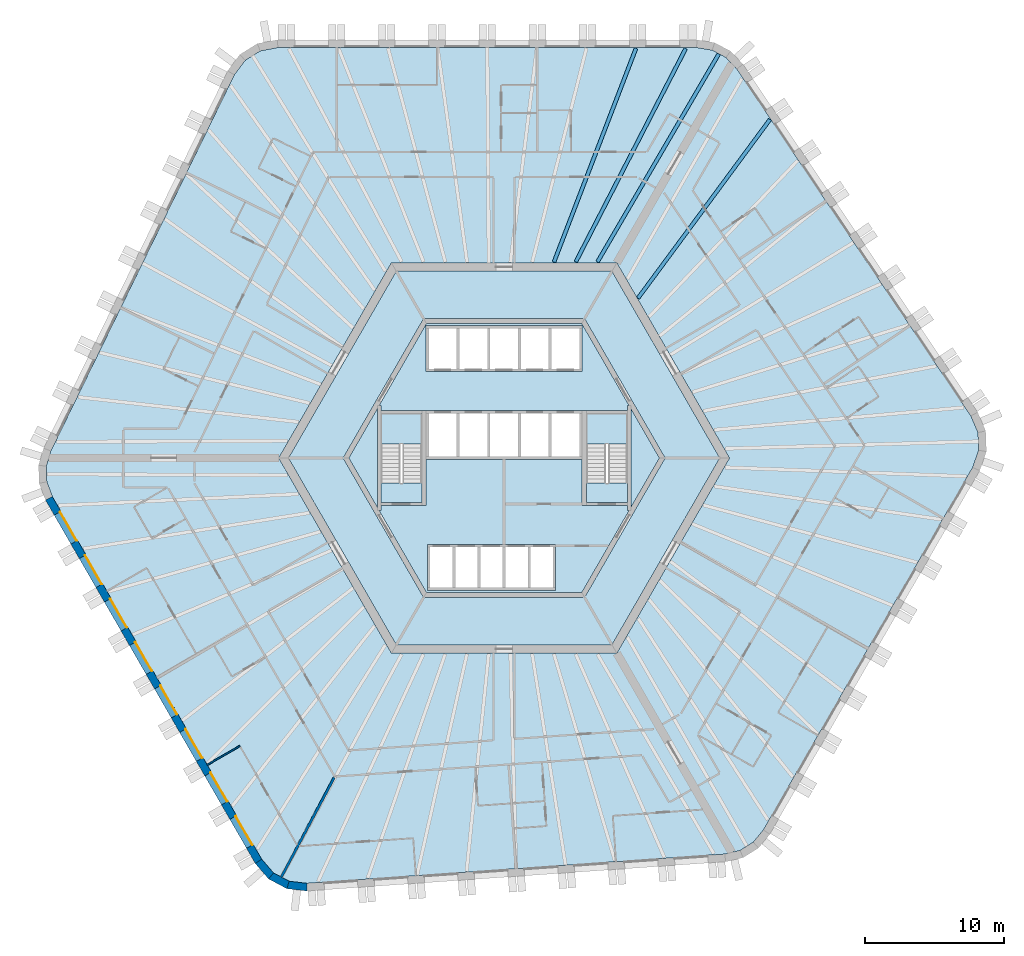
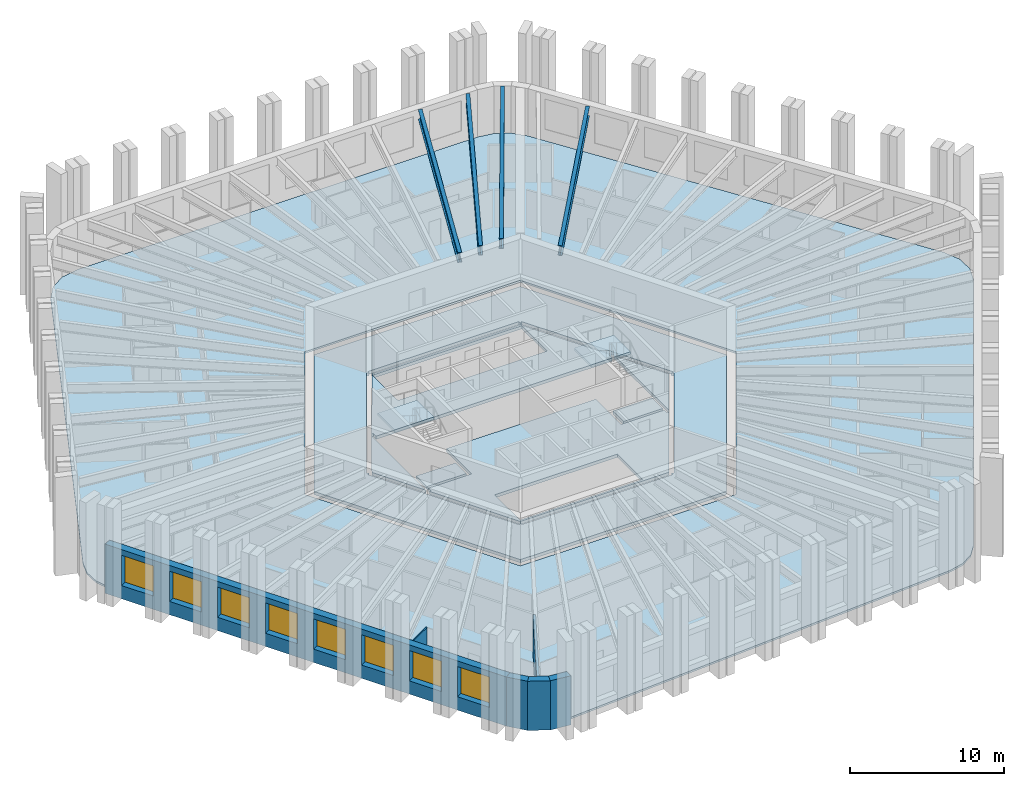
# One storey, part 2 of 12: 10 slabs, 8 windows, 6 walls, 4 beams, 8 openings, 2 elements without a shape of their own.
"""IFC4 building model written with IfcOpenShell, lengths in metres."""

from ifc_helpers import new_model, si_unit, direction, frame, frame_2d, origin, origin_2d, place, context, subcontext, project, spatial, polyline, rectangle, i_section, outline, extrude, material, layer, layer_set, material_profile, profile_set, type_object, element, fill, aggregate, save


model = new_model("IFC4")

# Units and contexts
model_context = context("Model", 3, precision=1e-05, world=origin(), true_north=direction((0.0, 1.0)))
body_context = subcontext(model_context, "Body", "Model", "MODEL_VIEW")
ifc_project = project(units=[si_unit("LENGTHUNIT", "METRE"), si_unit("AREAUNIT", "SQUARE_METRE"), si_unit("VOLUMEUNIT", "CUBIC_METRE"), si_unit("PLANEANGLEUNIT", "RADIAN"), si_unit("MASSUNIT", "GRAM", prefix="KILO")], contexts=[model_context])

# Site, building, storey
site_placement = place(None, origin())
site = spatial("IfcSite", under=ifc_project, at=site_placement, CompositionType="ELEMENT")
building_placement = place(site_placement, origin())
building = spatial("IfcBuilding", under=site, at=building_placement, Name="Tarnside Tower", CompositionType="ELEMENT")
storey_placement = place(building_placement, frame((0.0, 0.0, 60.89990234375)))
storey = spatial("IfcBuildingStorey", under=building, at=storey_placement, Name="L12", CompositionType="ELEMENT", Elevation=60.89990234375)

# Beams
ifc_material_1 = material(Name="Steel S355", Category="steel")
ifc_material_profile = material_profile(ifc_material_1, i_section(OverallWidth=0.2666015625, OverallDepth=0.76220703125, WebThickness=0.014404296875, FlangeThickness=0.021484375, FilletRadius=0.0166015625, at=origin_2d()), Name="UB 762x267x173")
ifc_profile_set = profile_set([ifc_material_profile], Name="Steel S355")
beam_type = type_object("IfcBeamType", Name="Floor beam UB 762x267x173", PredefinedType="BEAM", material=ifc_profile_set)
beam_1_placement = place(storey_placement, frame((13.0283203125, 29.37890625, 3.368896484375), z_axis=(-0.457973226459, -0.888965985765, 0.0), x_axis=(0.888965985765, -0.457973226459, 0.0)))
element("IfcBeam", 1, at=beam_1_placement, inside=storey, type_object=beam_type, Name="Floor beam F1.01", PredefinedType="BEAM", context=body_context, shape_type="SweptSolid", body=[
    extrude(i_section(OverallWidth=0.2666015625, OverallDepth=0.76220703125, WebThickness=0.014404296875, FlangeThickness=0.021484375, FilletRadius=0.0166015625, at=origin_2d()), origin(), (0.0, 0.0, 1.0), 17.219970703125),
])
beam_2_placement = place(storey_placement, frame((9.4619140625, 29.39404296875, 3.368896484375), z_axis=(-0.358299847269, -0.933606565662, 0.0), x_axis=(0.933606565662, -0.358299847269, 0.0)))
element("IfcBeam", 2, at=beam_2_placement, inside=storey, type_object=beam_type, Name="Floor beam F1.02", PredefinedType="BEAM", context=body_context, shape_type="SweptSolid", body=[
    extrude(i_section(OverallWidth=0.2666015625, OverallDepth=0.76220703125, WebThickness=0.014404296875, FlangeThickness=0.021484375, FilletRadius=0.0166015625, at=origin_2d()), origin(), (0.0, 0.0, 1.0), 16.428955078125),
])
beam_3_placement = place(storey_placement, frame((19.072021484375, 24.28857421875, 3.368896484375), z_axis=(-0.593986893499, -0.804474717037, 0.0), x_axis=(0.804474717037, -0.593986893499, 0.0)))
element("IfcBeam", 3, at=beam_3_placement, inside=storey, type_object=beam_type, Name="Floor beam F6.08", PredefinedType="BEAM", context=body_context, shape_type="SweptSolid", body=[
    extrude(i_section(OverallWidth=0.2666015625, OverallDepth=0.76220703125, WebThickness=0.014404296875, FlangeThickness=0.021484375, FilletRadius=0.0166015625, at=origin_2d()), origin(), (0.0, 0.0, 1.0), 15.934326171875),
])
beam_4_placement = place(storey_placement, frame((15.4013671875, 28.990478515625, 3.368896484375), z_axis=(-0.503858723096, -0.863786077198, 0.0), x_axis=(0.863786077198, -0.503858723096, 0.0)))
element("IfcBeam", 4, at=beam_4_placement, inside=storey, type_object=beam_type, Name="Floor beam C6", PredefinedType="BEAM", context=body_context, shape_type="SweptSolid", body=[
    extrude(i_section(OverallWidth=0.2666015625, OverallDepth=0.76220703125, WebThickness=0.014404296875, FlangeThickness=0.021484375, FilletRadius=0.0166015625, at=origin_2d()), origin(), (0.0, 0.0, 1.0), 17.2744140625),
])

# Slabs
ifc_material_2 = material(Name="Concrete C35/45", Category="concrete")
ifc_layer_1 = layer(ifc_material_2, 0.14990234375)
ifc_layer_set_1 = layer_set([ifc_layer_1], Name="Composite floor slab 150")
slab_type_1 = type_object("IfcSlabType", Name="Composite floor slab 150", PredefinedType="FLOOR", material=ifc_layer_set_1)
slab_1_placement = place(storey_placement, frame((0.0, 0.0, -0.14990234375)))
element("IfcSlab", 5, at=slab_1_placement, inside=storey, type_object=slab_type_1, Name="Floor slab L12", PredefinedType="FLOOR", context=body_context, shape_type="SweptSolid", body=[
    extrude(outline(polyline([(14.927490234375, 29.264892578125), (15.91455078125, 28.740234375), (16.697265625, 27.91064453125), (33.48583984375, 3.0205078125), (34.001220703125, 1.825439453125), (34.0458984375, 0.55078125), (33.614990234375, -0.67724609375), (18.603515625, -26.677978515625), (17.880615234375, -27.56005859375), (16.9326171875, -28.15234375), (15.82275390625, -28.41552734375), (-14.127197265625, -30.509765625), (-15.419921875, -30.358642578125), (-16.5458984375, -29.760009765625), (-17.39404296875, -28.772705078125), (-32.405517578125, -2.772216796875), (-32.80810546875, -1.704833984375), (-32.846923828125, -0.587890625), (-32.52001953125, 0.5048828125), (-19.358642578125, 27.4892578125), (-18.58154296875, 28.533203125), (-17.5, 29.208984375), (-16.220947265625, 29.449951171875), (13.802001953125, 29.449951171875), (14.927490234375, 29.264892578125)]), holes=[polyline([(-16.165771484375, 0.0), (-8.0830078125, -14.0), (8.0830078125, -14.0), (16.165771484375, 0.0), (8.0830078125, 14.0), (-8.0830078125, 14.0), (-16.165771484375, 0.0)])]), origin(), (0.0, 0.0, 1.0), 0.14990234375),
])
ifc_material_3 = material(Name="Concrete C40/50", Category="concrete")
ifc_layer_2 = layer(ifc_material_3, 0.25)
ifc_layer_set_2 = layer_set([ifc_layer_2], Name="Core slab C40/50")
slab_type_2 = type_object("IfcSlabType", Name="Core slab C40/50", PredefinedType="FLOOR", material=ifc_layer_set_2)
slab_2_placement = place(storey_placement, frame((0.0, 0.0, -0.25)))
element("IfcSlab", 6, at=slab_2_placement, inside=storey, type_object=slab_type_2, Name="L12 core floor slab 1", PredefinedType="FLOOR", context=body_context, shape_type="SweptSolid", body=[
    extrude(outline(polyline([(-15.472900390625, 0.0), (-7.736572265625, 13.39990234375), (7.736572265625, 13.39990234375), (15.472900390625, 0.0), (7.736572265625, -13.39990234375), (-7.736572265625, -13.39990234375), (-15.472900390625, 0.0)]), holes=[polyline([(5.823974609375, -9.91259765625), (11.49658203125, -0.08740234375), (11.344970703125, 0.0), (11.49658203125, 0.08740234375), (5.823974609375, 9.91259765625), (5.672607421875, 9.824951171875), (5.672607421875, 10.0), (-5.672607421875, 10.0), (-5.672607421875, 9.824951171875), (-5.823974609375, 9.91259765625), (-11.49658203125, 0.08740234375), (-11.344970703125, 0.0), (-11.49658203125, -0.08740234375), (-5.823974609375, -9.91259765625), (-5.672607421875, -9.824951171875), (-5.672607421875, -10.0), (5.672607421875, -10.0), (5.672607421875, -9.824951171875), (5.823974609375, -9.91259765625)])]), origin(), (0.0, 0.0, 1.0), 0.25),
])
slab_3_placement = place(storey_placement, frame((0.0, 0.0, -0.25)))
element("IfcSlab", 7, at=slab_3_placement, inside=storey, type_object=slab_type_2, Name="L12 core floor slab 2", PredefinedType="FLOOR", context=body_context, shape_type="SweptSolid", body=[
    extrude(outline(polyline([(-8.97509765625, 3.7548828125), (-5.5712890625, 9.64990234375), (5.5712890625, 9.64990234375), (8.97509765625, 3.7548828125), (8.85009765625, 3.7548828125), (8.85009765625, 3.39990234375), (5.89990234375, 3.39990234375), (5.60009765625, 3.39990234375), (5.60009765625, 3.39990234375), (-5.60009765625, 3.39990234375), (-5.89990234375, 3.39990234375), (-8.85009765625, 3.39990234375), (-8.85009765625, 3.7548828125), (-8.97509765625, 3.7548828125)]), holes=[polyline([(-5.60009765625, 6.199951171875), (5.60009765625, 6.199951171875), (5.60009765625, 6.39990234375), (5.60009765625, 9.300048828125), (5.60009765625, 9.5), (-5.60009765625, 9.5), (-5.60009765625, 9.300048828125), (-5.60009765625, 6.39990234375), (-5.60009765625, 6.199951171875)])]), origin(), (0.0, 0.0, 1.0), 0.25),
])
slab_4_placement = place(storey_placement, frame((0.0, 0.0, -0.25)))
element("IfcSlab", 8, at=slab_4_placement, inside=storey, type_object=slab_type_2, Name="L12 core floor slab 3", PredefinedType="FLOOR", context=body_context, shape_type="SweptSolid", body=[
    extrude(outline(polyline([(5.60009765625, -3.39990234375), (5.89990234375, -3.39990234375), (8.85009765625, -3.39990234375), (8.85009765625, -3.7548828125), (8.97509765625, -3.7548828125), (5.5712890625, -9.64990234375), (-5.5712890625, -9.64990234375), (-8.97509765625, -3.7548828125), (-8.85009765625, -3.7548828125), (-8.85009765625, -3.39990234375), (-5.89990234375, -3.39990234375), (-5.60009765625, -3.39990234375), (-5.60009765625, -0.10009765625), (5.60009765625, -0.10009765625), (5.60009765625, -3.39990234375)]), holes=[polyline([(-5.5, -9.300048828125), (-5.5, -9.5), (3.699951171875, -9.5), (3.699951171875, -9.300048828125), (3.699951171875, -6.39990234375), (3.699951171875, -6.199951171875), (-5.5, -6.199951171875), (-5.5, -6.39990234375), (-5.5, -9.300048828125)])]), origin(), (0.0, 0.0, 1.0), 0.25),
])
slab_5_placement = place(storey_placement, frame((0.0, 0.0, -0.25)))
element("IfcSlab", 9, at=slab_5_placement, inside=storey, type_object=slab_type_2, Name="L12 core floor slab 4", PredefinedType="FLOOR", context=body_context, shape_type="SweptSolid", body=[
    extrude(outline(polyline([(-11.142822265625, 0.0), (-9.10009765625, 3.538330078125), (-9.10009765625, -3.538330078125), (-11.142822265625, 0.0)])), origin(), (0.0, 0.0, 1.0), 0.25),
])
slab_6_placement = place(storey_placement, frame((0.0, 0.0, -0.25)))
element("IfcSlab", 10, at=slab_6_placement, inside=storey, type_object=slab_type_2, Name="L12 core floor slab 5", PredefinedType="FLOOR", context=body_context, shape_type="SweptSolid", body=[
    extrude(outline(polyline([(-8.85009765625, -1.800048828125), (-5.89990234375, -1.800048828125), (-5.89990234375, -3.199951171875), (-8.85009765625, -3.199951171875), (-8.85009765625, -1.800048828125)])), origin(), (0.0, 0.0, 1.0), 0.25),
])
slab_7_placement = place(storey_placement, frame((0.0, 0.0, -0.25)))
element("IfcSlab", 11, at=slab_7_placement, inside=storey, type_object=slab_type_2, Name="L12 core floor slab 6", PredefinedType="FLOOR", context=body_context, shape_type="SweptSolid", body=[
    extrude(outline(polyline([(5.89990234375, -3.199951171875), (5.89990234375, -1.800048828125), (8.85009765625, -1.800048828125), (8.85009765625, -3.199951171875), (5.89990234375, -3.199951171875)])), origin(), (0.0, 0.0, 1.0), 0.25),
])
slab_8_placement = place(storey_placement, frame((0.0, 0.0, -0.25)))
element("IfcSlab", 12, at=slab_8_placement, inside=storey, type_object=slab_type_2, Name="L12 core floor slab 7", PredefinedType="FLOOR", context=body_context, shape_type="SweptSolid", body=[
    extrude(outline(polyline([(9.10009765625, -3.538330078125), (9.10009765625, 3.538330078125), (11.142822265625, 0.0), (9.10009765625, -3.538330078125)])), origin(), (0.0, 0.0, 1.0), 0.25),
])

# Stair, slab
stair_type = type_object("IfcStairType", Name="Exit stair 1400 clear", PredefinedType="HALF_TURN_STAIR", material=ifc_material_3)
stair_1_placement = place(storey_placement, origin())
stair_1 = element("IfcStair", 13, at=stair_1_placement, inside=storey, type_object=stair_type, Name="L12 Exit stair 1", PredefinedType="HALF_TURN_STAIR")
ifc_layer_3 = layer(ifc_material_3, 0.199951171875)
ifc_layer_set_3 = layer_set([ifc_layer_3], Name="Stair landing 200 C40/50")
slab_type_3 = type_object("IfcSlabType", Name="Stair landing 200 C40/50", PredefinedType="LANDING", material=ifc_layer_set_3)
slab_9_placement = place(storey_placement, frame((0.0, 0.0, 1.75)))
slab_9 = element("IfcSlab", 14, at=slab_9_placement, type_object=slab_type_3, Name="ST1 landing 1", PredefinedType="LANDING", context=body_context, shape_type="SweptSolid", body=[
    extrude(outline(polyline([(8.85009765625, 1.0), (8.85009765625, 3.199951171875), (5.89990234375, 3.199951171875), (5.89990234375, 1.0), (8.85009765625, 1.0)])), origin(), (0.0, 0.0, 1.0), 0.2001953125),
])
aggregate(stair_1, [slab_9])

stair_2_placement = place(storey_placement, origin())
stair_2 = element("IfcStair", 15, at=stair_2_placement, inside=storey, type_object=stair_type, Name="L12 Exit stair 2", PredefinedType="HALF_TURN_STAIR")
slab_10_placement = place(storey_placement, frame((0.0, 0.0, 1.75)))
slab_10 = element("IfcSlab", 16, at=slab_10_placement, type_object=slab_type_3, Name="ST2 landing 1", PredefinedType="LANDING", context=body_context, shape_type="SweptSolid", body=[
    extrude(outline(polyline([(-5.89990234375, 1.0), (-5.89990234375, 3.199951171875), (-8.85009765625, 3.199951171875), (-8.85009765625, 1.0), (-5.89990234375, 1.0)])), origin(), (0.0, 0.0, 1.0), 0.2001953125),
])
aggregate(stair_2, [slab_10])

# Walls
ifc_material_4 = material(Name="Gypsum board partition on steel studs", Category="steel")
ifc_layer_4 = layer(ifc_material_4, 0.179931640625)
ifc_layer_set_4 = layer_set([ifc_layer_4], Name="Demising wall 180 EI 60")
wall_type_1 = type_object("IfcWallType", Name="Demising wall 180 EI 60", PredefinedType="PARTITIONING", material=ifc_layer_set_4)
wall_1_placement = place(storey_placement, frame((-15.98291015625, -30.059326171875, 0.0), z_axis=(0.0, 0.0, 1.0), x_axis=(0.469476547643, 0.882944942346, 0.0)))
element("IfcWall", 17, at=wall_1_placement, inside=storey, type_object=wall_type_1, Name="Demising wall 03109", PredefinedType="PARTITIONING", context=body_context, shape_type="SweptSolid", body=[
    extrude(rectangle(XDim=8.072998046875, YDim=0.179931640625, at=frame_2d((4.03662109375, 0.0))), origin(), (0.0, 0.0, 1.0), 2.98779296875),
])
ifc_layer_5 = layer(ifc_material_4, 0.10009765625)
ifc_layer_set_5 = layer_set([ifc_layer_5], Name="Partition 100")
wall_type_2 = type_object("IfcWallType", Name="Partition 100", PredefinedType="PARTITIONING", material=ifc_layer_set_5)
wall_2_placement = place(storey_placement, frame((-21.298828125, -22.00927734375, 0.0), z_axis=(0.0, 0.0, 1.0), x_axis=(0.86599734893, 0.500048589285, 0.0)))
element("IfcWall", 18, at=wall_2_placement, inside=storey, type_object=wall_type_2, Name="Partition wall 03107", PredefinedType="PARTITIONING", context=body_context, shape_type="SweptSolid", body=[
    extrude(rectangle(XDim=2.699951171875, YDim=0.10009765625, at=frame_2d((1.35009765625, 0.0))), origin(), (0.0, 0.0, 1.0), 2.98779296875),
])

# Wall, openings, windows
ifc_material_5 = material(Name="Facing brick", Category="masonry")
ifc_layer_6 = layer(ifc_material_5, 0.10205078125)
ifc_material_6 = material(Name="Concrete C60/75 precast", Category="concrete")
ifc_layer_7 = layer(ifc_material_6, 0.347900390625)
ifc_material_7 = material(Name="Mineral wool insulation")
ifc_layer_8 = layer(ifc_material_7, 0.10009765625)
ifc_layer_set_6 = layer_set([ifc_layer_6, ifc_layer_7, ifc_layer_8], Name="Tube wall 550 brick faced")
wall_type_3 = type_object("IfcWallType", Name="Tube wall 550 brick faced", PredefinedType="SOLIDWALL", material=ifc_layer_set_6)
wall_3_placement = place(storey_placement, frame((-32.65478515625, -2.89013671875, -0.14990234375), z_axis=(0.0, 0.0, 1.0), x_axis=(0.499997711317, -0.866026725152, 0.0)))
wall_3 = element("IfcWall", 19, at=wall_3_placement, inside=storey, type_object=wall_type_3, Name="Tube wall L12 F3 flush 08", PredefinedType="SOLIDWALL", context=body_context, shape_type="SweptSolid", body=[
    extrude(outline(polyline([(-0.0224609375, -0.27490234375), (30.0966796875, -0.27490234375), (30.04541015625, 0.27490234375), (0.0224609375, 0.27490234375), (-0.0224609375, -0.27490234375)])), origin(), (0.0, 0.0, 1.0), 3.89990234375),
])
opening_1_placement = place(wall_3_placement, frame((1.235595703125, 0.0, 1.050048828125)))
opening_1 = element("IfcOpeningElement", 20, at=opening_1_placement, cuts=wall_3, Name="Opening WH", PredefinedType="OPENING", context=body_context, shape_type="SweptSolid", body=[
    extrude(rectangle(XDim=2.39990234375, YDim=2.39990234375, at=frame_2d((1.199951171875, 1.199951171875))), frame((0.0, 0.28515625, 0.0), z_axis=(0.0, -1.0, 0.0), x_axis=(1.0, 0.0, 0.0)), (0.0, 0.0, 1.0), 0.570068359375),
])
opening_2_placement = place(wall_3_placement, frame((4.83544921875, 0.0, 1.050048828125)))
opening_2 = element("IfcOpeningElement", 21, at=opening_2_placement, cuts=wall_3, Name="Opening WH", PredefinedType="OPENING", context=body_context, shape_type="SweptSolid", body=[
    extrude(rectangle(XDim=2.39990234375, YDim=2.39990234375, at=frame_2d((1.199951171875, 1.199951171875))), frame((0.0, 0.28515625, 0.0), z_axis=(0.0, -1.0, 0.0), x_axis=(1.0, 0.0, 0.0)), (0.0, 0.0, 1.0), 0.570068359375),
])
opening_3_placement = place(wall_3_placement, frame((8.435546875, 0.0, 1.050048828125)))
opening_3 = element("IfcOpeningElement", 22, at=opening_3_placement, cuts=wall_3, Name="Opening WH", PredefinedType="OPENING", context=body_context, shape_type="SweptSolid", body=[
    extrude(rectangle(XDim=2.39990234375, YDim=2.39990234375, at=frame_2d((1.199951171875, 1.199951171875))), frame((0.0, 0.28515625, 0.0), z_axis=(0.0, -1.0, 0.0), x_axis=(1.0, 0.0, 0.0)), (0.0, 0.0, 1.0), 0.570068359375),
])
opening_4_placement = place(wall_3_placement, frame((12.035400390625, 0.0, 1.050048828125)))
opening_4 = element("IfcOpeningElement", 23, at=opening_4_placement, cuts=wall_3, Name="Opening WH", PredefinedType="OPENING", context=body_context, shape_type="SweptSolid", body=[
    extrude(rectangle(XDim=2.39990234375, YDim=2.39990234375, at=frame_2d((1.199951171875, 1.199951171875))), frame((0.0, 0.28515625, 0.0), z_axis=(0.0, -1.0, 0.0), x_axis=(1.0, 0.0, 0.0)), (0.0, 0.0, 1.0), 0.570068359375),
])
opening_5_placement = place(wall_3_placement, frame((15.635498046875, 0.0, 1.050048828125)))
opening_5 = element("IfcOpeningElement", 24, at=opening_5_placement, cuts=wall_3, Name="Opening WH", PredefinedType="OPENING", context=body_context, shape_type="SweptSolid", body=[
    extrude(rectangle(XDim=2.39990234375, YDim=2.39990234375, at=frame_2d((1.199951171875, 1.199951171875))), frame((0.0, 0.28515625, 0.0), z_axis=(0.0, -1.0, 0.0), x_axis=(1.0, 0.0, 0.0)), (0.0, 0.0, 1.0), 0.570068359375),
])
opening_6_placement = place(wall_3_placement, frame((19.235595703125, 0.0, 1.050048828125)))
opening_6 = element("IfcOpeningElement", 25, at=opening_6_placement, cuts=wall_3, Name="Opening WH", PredefinedType="OPENING", context=body_context, shape_type="SweptSolid", body=[
    extrude(rectangle(XDim=2.39990234375, YDim=2.39990234375, at=frame_2d((1.199951171875, 1.199951171875))), frame((0.0, 0.28515625, 0.0), z_axis=(0.0, -1.0, 0.0), x_axis=(1.0, 0.0, 0.0)), (0.0, 0.0, 1.0), 0.570068359375),
])
opening_7_placement = place(wall_3_placement, frame((22.83544921875, 0.0, 1.050048828125)))
opening_7 = element("IfcOpeningElement", 26, at=opening_7_placement, cuts=wall_3, Name="Opening WH", PredefinedType="OPENING", context=body_context, shape_type="SweptSolid", body=[
    extrude(rectangle(XDim=2.39990234375, YDim=2.39990234375, at=frame_2d((1.199951171875, 1.199951171875))), frame((0.0, 0.28515625, 0.0), z_axis=(0.0, -1.0, 0.0), x_axis=(1.0, 0.0, 0.0)), (0.0, 0.0, 1.0), 0.570068359375),
])
opening_8_placement = place(wall_3_placement, frame((26.435546875, 0.0, 1.050048828125)))
opening_8 = element("IfcOpeningElement", 27, at=opening_8_placement, cuts=wall_3, Name="Opening WH", PredefinedType="OPENING", context=body_context, shape_type="SweptSolid", body=[
    extrude(rectangle(XDim=2.39990234375, YDim=2.39990234375, at=frame_2d((1.199951171875, 1.199951171875))), frame((0.0, 0.28515625, 0.0), z_axis=(0.0, -1.0, 0.0), x_axis=(1.0, 0.0, 0.0)), (0.0, 0.0, 1.0), 0.570068359375),
])
ifc_material_8 = material(Name="Aluminium-framed double glazing", Category="aluminium")
window_type = type_object("IfcWindowType", Name="Hotel window 2400 x 2400", PartitioningType="DOUBLE_PANEL_VERTICAL", PredefinedType="WINDOW", material=ifc_material_8)
window_1_placement = place(opening_1_placement, frame((0.0, 0.205078125, 0.0)))
window_1 = element("IfcWindow", 28, at=window_1_placement, inside=storey, type_object=window_type, Name="E.WN.L12.F3.00", OverallHeight=2.39990234375, OverallWidth=2.39990234375, PartitioningType="DOUBLE_PANEL_VERTICAL", PredefinedType="WINDOW", context=body_context, shape_type="SweptSolid", body=[
    extrude(rectangle(XDim=2.39990234375, YDim=2.39990234375, at=frame_2d((1.199951171875, 1.199951171875))), frame((0.0, 0.030029296875, 0.0), z_axis=(0.0, -1.0, 0.0), x_axis=(1.0, 0.0, 0.0)), (0.0, 0.0, 1.0), 0.06005859375),
])
fill(opening_1, window_1)
window_2_placement = place(opening_2_placement, frame((0.0, 0.205078125, 0.0)))
window_2 = element("IfcWindow", 29, at=window_2_placement, inside=storey, type_object=window_type, Name="E.WN.L12.F3.01", OverallHeight=2.39990234375, OverallWidth=2.39990234375, PartitioningType="DOUBLE_PANEL_VERTICAL", PredefinedType="WINDOW", context=body_context, shape_type="SweptSolid", body=[
    extrude(rectangle(XDim=2.39990234375, YDim=2.39990234375, at=frame_2d((1.199951171875, 1.199951171875))), frame((0.0, 0.030029296875, 0.0), z_axis=(0.0, -1.0, 0.0), x_axis=(1.0, 0.0, 0.0)), (0.0, 0.0, 1.0), 0.06005859375),
])
fill(opening_2, window_2)
window_3_placement = place(opening_3_placement, frame((0.0, 0.205078125, 0.0)))
window_3 = element("IfcWindow", 30, at=window_3_placement, inside=storey, type_object=window_type, Name="E.WN.L12.F3.02", OverallHeight=2.39990234375, OverallWidth=2.39990234375, PartitioningType="DOUBLE_PANEL_VERTICAL", PredefinedType="WINDOW", context=body_context, shape_type="SweptSolid", body=[
    extrude(rectangle(XDim=2.39990234375, YDim=2.39990234375, at=frame_2d((1.199951171875, 1.199951171875))), frame((0.0, 0.030029296875, 0.0), z_axis=(0.0, -1.0, 0.0), x_axis=(1.0, 0.0, 0.0)), (0.0, 0.0, 1.0), 0.06005859375),
])
fill(opening_3, window_3)
window_4_placement = place(opening_4_placement, frame((0.0, 0.205078125, 0.0)))
window_4 = element("IfcWindow", 31, at=window_4_placement, inside=storey, type_object=window_type, Name="E.WN.L12.F3.03", OverallHeight=2.39990234375, OverallWidth=2.39990234375, PartitioningType="DOUBLE_PANEL_VERTICAL", PredefinedType="WINDOW", context=body_context, shape_type="SweptSolid", body=[
    extrude(rectangle(XDim=2.39990234375, YDim=2.39990234375, at=frame_2d((1.199951171875, 1.199951171875))), frame((0.0, 0.030029296875, 0.0), z_axis=(0.0, -1.0, 0.0), x_axis=(1.0, 0.0, 0.0)), (0.0, 0.0, 1.0), 0.06005859375),
])
fill(opening_4, window_4)
window_5_placement = place(opening_5_placement, frame((0.0, 0.205078125, 0.0)))
window_5 = element("IfcWindow", 32, at=window_5_placement, inside=storey, type_object=window_type, Name="E.WN.L12.F3.04", OverallHeight=2.39990234375, OverallWidth=2.39990234375, PartitioningType="DOUBLE_PANEL_VERTICAL", PredefinedType="WINDOW", context=body_context, shape_type="SweptSolid", body=[
    extrude(rectangle(XDim=2.39990234375, YDim=2.39990234375, at=frame_2d((1.199951171875, 1.199951171875))), frame((0.0, 0.030029296875, 0.0), z_axis=(0.0, -1.0, 0.0), x_axis=(1.0, 0.0, 0.0)), (0.0, 0.0, 1.0), 0.06005859375),
])
fill(opening_5, window_5)
window_6_placement = place(opening_6_placement, frame((0.0, 0.205078125, 0.0)))
window_6 = element("IfcWindow", 33, at=window_6_placement, inside=storey, type_object=window_type, Name="E.WN.L12.F3.05", OverallHeight=2.39990234375, OverallWidth=2.39990234375, PartitioningType="DOUBLE_PANEL_VERTICAL", PredefinedType="WINDOW", context=body_context, shape_type="SweptSolid", body=[
    extrude(rectangle(XDim=2.39990234375, YDim=2.39990234375, at=frame_2d((1.199951171875, 1.199951171875))), frame((0.0, 0.030029296875, 0.0), z_axis=(0.0, -1.0, 0.0), x_axis=(1.0, 0.0, 0.0)), (0.0, 0.0, 1.0), 0.06005859375),
])
fill(opening_6, window_6)
window_7_placement = place(opening_7_placement, frame((0.0, 0.205078125, 0.0)))
window_7 = element("IfcWindow", 34, at=window_7_placement, inside=storey, type_object=window_type, Name="E.WN.L12.F3.06", OverallHeight=2.39990234375, OverallWidth=2.39990234375, PartitioningType="DOUBLE_PANEL_VERTICAL", PredefinedType="WINDOW", context=body_context, shape_type="SweptSolid", body=[
    extrude(rectangle(XDim=2.39990234375, YDim=2.39990234375, at=frame_2d((1.199951171875, 1.199951171875))), frame((0.0, 0.030029296875, 0.0), z_axis=(0.0, -1.0, 0.0), x_axis=(1.0, 0.0, 0.0)), (0.0, 0.0, 1.0), 0.06005859375),
])
fill(opening_7, window_7)
window_8_placement = place(opening_8_placement, frame((0.0, 0.205078125, 0.0)))
window_8 = element("IfcWindow", 35, at=window_8_placement, inside=storey, type_object=window_type, Name="E.WN.L12.F3.07", OverallHeight=2.39990234375, OverallWidth=2.39990234375, PartitioningType="DOUBLE_PANEL_VERTICAL", PredefinedType="WINDOW", context=body_context, shape_type="SweptSolid", body=[
    extrude(rectangle(XDim=2.39990234375, YDim=2.39990234375, at=frame_2d((1.199951171875, 1.199951171875))), frame((0.0, 0.030029296875, 0.0), z_axis=(0.0, -1.0, 0.0), x_axis=(1.0, 0.0, 0.0)), (0.0, 0.0, 1.0), 0.06005859375),
])
fill(opening_8, window_8)

# Walls
wall_4_placement = place(storey_placement, frame((-17.619384765625, -28.932373046875, -0.14990234375), z_axis=(0.0, 0.0, 1.0), x_axis=(0.651621950847, -0.758543890078, 0.0)))
element("IfcWall", 36, at=wall_4_placement, inside=storey, type_object=wall_type_3, Name="Tube wall L12 F3 chord 09", PredefinedType="SOLIDWALL", context=body_context, shape_type="SweptSolid", body=[
    extrude(outline(polyline([(-0.025634765625, -0.27490234375), (1.430908203125, -0.27490234375), (1.327392578125, 0.27490234375), (0.025634765625, 0.27490234375), (-0.025634765625, -0.27490234375)])), origin(), (0.0, 0.0, 1.0), 3.89990234375),
])
wall_5_placement = place(storey_placement, frame((-16.720703125, -29.978515625, -0.14990234375), z_axis=(0.0, 0.0, 1.0), x_axis=(0.882994189209, -0.469383917304, 0.0)))
element("IfcWall", 37, at=wall_5_placement, inside=storey, type_object=wall_type_3, Name="Tube wall L12 F3 chord 10", PredefinedType="SOLIDWALL", context=body_context, shape_type="SweptSolid", body=[
    extrude(outline(polyline([(-0.0517578125, -0.27490234375), (1.4306640625, -0.27490234375), (1.3271484375, 0.27490234375), (0.0517578125, 0.27490234375), (-0.0517578125, -0.27490234375)])), origin(), (0.0, 0.0, 1.0), 3.89990234375),
])
wall_6_placement = place(storey_placement, frame((-15.503173828125, -30.625732421875, -0.14990234375), z_axis=(0.0, 0.0, 1.0), x_axis=(0.993232537394, -0.11614269956, 0.0)))
element("IfcWall", 38, at=wall_6_placement, inside=storey, type_object=wall_type_3, Name="Tube wall L12 F3 chord 11", PredefinedType="SOLIDWALL", context=body_context, shape_type="SweptSolid", body=[
    extrude(outline(polyline([(-0.0517578125, -0.27490234375), (1.404541015625, -0.27490234375), (1.353271484375, 0.27490234375), (0.0517578125, 0.27490234375), (-0.0517578125, -0.27490234375)])), origin(), (0.0, 0.0, 1.0), 3.89990234375),
])

save(model, "model.ifc")
